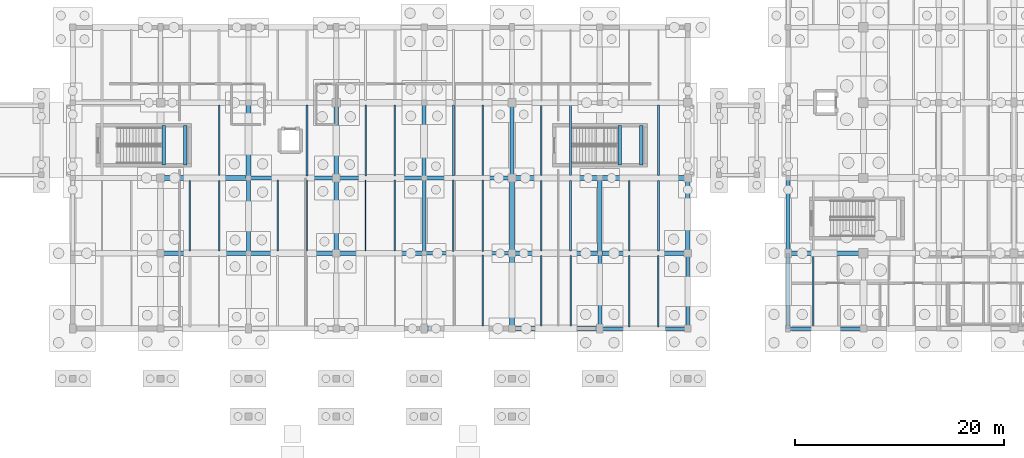
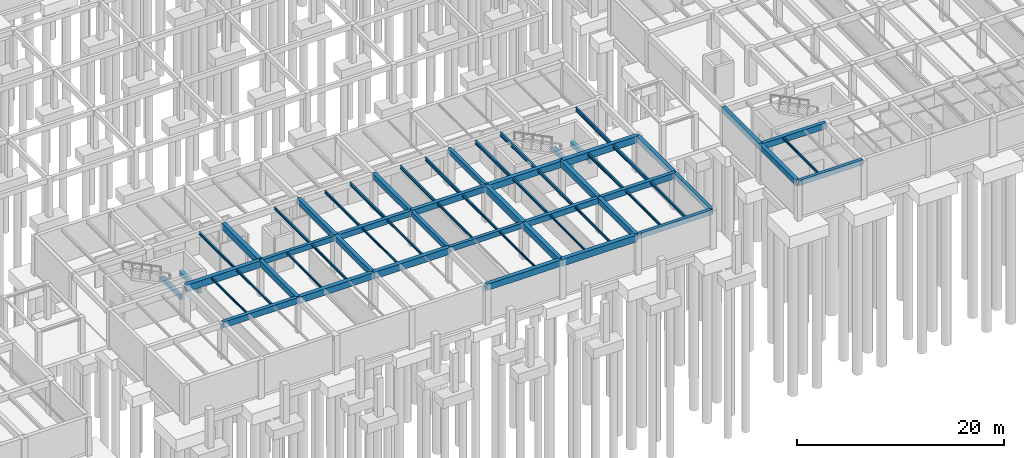
# One storey, part 26 of 63: 63 beams.
"""IFC4 building model written with IfcOpenShell, lengths in metres."""

from ifc_helpers import new_model, si_unit, direction, frame, origin, origin_2d, place, context, subcontext, project, spatial, rectangle, i_section, extrude, material, material_profile, profile_set, type_object, element, save


model = new_model("IFC4")

# Units and contexts
model_context = context("Model", 3, precision=1e-05, world=origin(), true_north=direction((0.0, 1.0)))
body_context = subcontext(model_context, "Body", "Model", "MODEL_VIEW")
ifc_project = project(units=[si_unit("LENGTHUNIT", "METRE"), si_unit("AREAUNIT", "SQUARE_METRE"), si_unit("VOLUMEUNIT", "CUBIC_METRE"), si_unit("PLANEANGLEUNIT", "RADIAN"), si_unit("MASSUNIT", "GRAM", prefix="KILO")], contexts=[model_context])

# Site, building, storey
site_placement = place(None, origin())
site = spatial("IfcSite", under=ifc_project, at=site_placement, CompositionType="ELEMENT")
building_placement = place(site_placement, origin())
building = spatial("IfcBuilding", under=site, at=building_placement, Name="Mazaris Harbour Polytechnic", CompositionType="ELEMENT")
storey_placement = place(building_placement, frame((0.0, 0.0, -4.5)))
storey = spatial("IfcBuildingStorey", under=building, at=storey_placement, Name="B1", CompositionType="ELEMENT", Elevation=-4.5)

# Beams
ifc_material_1 = material(Name="Concrete C35/45", Category="concrete")
ifc_material_profile_1 = material_profile(ifc_material_1, rectangle(XDim=0.35009765625, YDim=0.60009765625, at=origin_2d()), Name="RECT350x600")
ifc_profile_set_1 = profile_set([ifc_material_profile_1], Name="Concrete C35/45")
beam_type_1 = type_object("IfcBeamType", Name="RC Girder 350x600", PredefinedType="BEAM", material=ifc_profile_set_1)
for number, where, z_axis, x_axis, name in (
    (1, (87.60009765625, 14.39990234375, 3.8798828125), (1.0, 0.0, 0.0), (0.0, 1.0, 0.0), "V3 B1 Girder 750"),
    (2, (70.800048828125, 21.60009765625, 3.8798828125), (1.0, 0.0, 0.0), (0.0, 1.0, 0.0), "V3 B1 Girder 755"),
):
    element("IfcBeam", number, at=place(storey_placement, frame(where, z_axis=z_axis, x_axis=x_axis)), inside=storey, type_object=beam_type_1, Name=name, PredefinedType="BEAM", context=body_context, shape_type="SweptSolid", body=[
        extrude(rectangle(XDim=0.35009765625, YDim=0.60009765625, at=origin_2d()), origin(), (0.0, 0.0, 1.0), 8.39990234375),
    ])
beam_1_placement = place(storey_placement, frame((87.60009765625, 14.39990234375, 3.8798828125), z_axis=(0.0, 1.0, 0.0), x_axis=(-1.0, 0.0, 0.0)))
element("IfcBeam", 3, at=beam_1_placement, inside=storey, type_object=beam_type_1, Name="V3 B1 Tie Girder 790", PredefinedType="BEAM", context=body_context, shape_type="SweptSolid", body=[
    extrude(rectangle(XDim=0.35009765625, YDim=0.60009765625, at=origin_2d()), origin(), (0.0, 0.0, 1.0), 7.2001953125),
])
beam_2_placement = place(storey_placement, frame((96.0, 21.60009765625, 3.8798828125), z_axis=(0.0, 1.0, 0.0), x_axis=(-1.0, 0.0, 0.0)))
element("IfcBeam", 4, at=beam_2_placement, inside=storey, type_object=beam_type_1, Name="V3 B1 Tie Girder 795", PredefinedType="BEAM", context=body_context, shape_type="SweptSolid", body=[
    extrude(rectangle(XDim=0.35009765625, YDim=0.60009765625, at=origin_2d()), origin(), (0.0, 0.0, 1.0), 7.199951171875),
])
ifc_material_2 = material(Name="Concrete C35/45", Category="concrete")
ifc_material_profile_2 = material_profile(ifc_material_2, rectangle(XDim=0.35009765625, YDim=0.60009765625, at=origin_2d()), Name="RECT350x600")
ifc_profile_set_2 = profile_set([ifc_material_profile_2], Name="Concrete C35/45")
beam_type_2 = type_object("IfcBeamType", Name="RC Girder 350x600 Exterior", PredefinedType="BEAM", material=ifc_profile_set_2)
beam_3_placement = place(storey_placement, frame((122.39990234375, 7.199951171875, 3.8798828125), z_axis=(1.0, 0.0, 0.0), x_axis=(0.0, 1.0, 0.0)))
element("IfcBeam", 5, at=beam_3_placement, inside=storey, type_object=beam_type_2, Name="V2 B1 Girder 280", PredefinedType="BEAM", context=body_context, shape_type="SweptSolid", body=[
    extrude(rectangle(XDim=0.35009765625, YDim=0.60009765625, at=origin_2d()), origin(), (0.0, 0.0, 1.0), 7.2001953125),
])
beam_4_placement = place(storey_placement, frame((104.39990234375, 7.199951171875, 3.8798828125), z_axis=(1.0, 0.0, 0.0), x_axis=(0.0, 1.0, 0.0)))
element("IfcBeam", 6, at=beam_4_placement, inside=storey, type_object=beam_type_2, Name="V3 B1 Girder 745", PredefinedType="BEAM", context=body_context, shape_type="SweptSolid", body=[
    extrude(rectangle(XDim=0.35009765625, YDim=0.60009765625, at=origin_2d()), origin(), (0.0, 0.0, 1.0), 8.400146484375),
])
beam_5_placement = place(storey_placement, frame((112.800048828125, 7.199951171875, 3.8798828125), z_axis=(0.0, 1.0, 0.0), x_axis=(-1.0, 0.0, 0.0)))
element("IfcBeam", 7, at=beam_5_placement, inside=storey, type_object=beam_type_2, Name="V3 B1 Tie Girder 800", PredefinedType="BEAM", context=body_context, shape_type="SweptSolid", body=[
    extrude(rectangle(XDim=0.35009765625, YDim=0.60009765625, at=origin_2d()), origin(), (0.0, 0.0, 1.0), 7.199951171875),
])
ifc_material_3 = material(Name="Concrete C35/45", Category="concrete")
ifc_material_profile_3 = material_profile(ifc_material_3, rectangle(XDim=0.39990234375, YDim=0.64990234375, at=origin_2d()), Name="RECT400x650")
ifc_profile_set_3 = profile_set([ifc_material_profile_3], Name="Concrete C35/45")
beam_type_3 = type_object("IfcBeamType", Name="RC Girder 400x650", PredefinedType="BEAM", material=ifc_profile_set_3)
beam_6_placement = place(storey_placement, frame((96.0, 14.39990234375, 3.85498046875), z_axis=(1.0, 0.0, 0.0), x_axis=(0.0, 1.0, 0.0)))
element("IfcBeam", 8, at=beam_6_placement, inside=storey, type_object=beam_type_3, Name="V3 B1 Girder 751", PredefinedType="BEAM", context=body_context, shape_type="SweptSolid", body=[
    extrude(rectangle(XDim=0.39990234375, YDim=0.64990234375, at=origin_2d()), origin(), (0.0, 0.0, 1.0), 8.39990234375),
])
beam_7_placement = place(storey_placement, frame((79.199951171875, 21.60009765625, 3.85498046875), z_axis=(1.0, 0.0, 0.0), x_axis=(0.0, 1.0, 0.0)))
element("IfcBeam", 9, at=beam_7_placement, inside=storey, type_object=beam_type_3, Name="V3 B1 Girder 756", PredefinedType="BEAM", context=body_context, shape_type="SweptSolid", body=[
    extrude(rectangle(XDim=0.39990234375, YDim=0.64990234375, at=origin_2d()), origin(), (0.0, 0.0, 1.0), 8.400146484375),
])
beam_8_placement = place(storey_placement, frame((79.199951171875, 14.39990234375, 3.85498046875), z_axis=(0.0, 1.0, 0.0), x_axis=(-1.0, 0.0, 0.0)))
element("IfcBeam", 10, at=beam_8_placement, inside=storey, type_object=beam_type_3, Name="V3 B1 Tie Girder 786", PredefinedType="BEAM", context=body_context, shape_type="SweptSolid", body=[
    extrude(rectangle(XDim=0.39990234375, YDim=0.64990234375, at=origin_2d()), origin(), (0.0, 0.0, 1.0), 7.2001953125),
])
beam_9_placement = place(storey_placement, frame((87.60009765625, 21.60009765625, 3.85498046875), z_axis=(0.0, 1.0, 0.0), x_axis=(-1.0, 0.0, 0.0)))
element("IfcBeam", 11, at=beam_9_placement, inside=storey, type_object=beam_type_3, Name="V3 B1 Tie Girder 791", PredefinedType="BEAM", context=body_context, shape_type="SweptSolid", body=[
    extrude(rectangle(XDim=0.39990234375, YDim=0.64990234375, at=origin_2d()), origin(), (0.0, 0.0, 1.0), 7.199951171875),
])
ifc_material_4 = material(Name="Concrete C35/45", Category="concrete")
ifc_material_profile_4 = material_profile(ifc_material_4, rectangle(XDim=0.39990234375, YDim=0.64990234375, at=origin_2d()), Name="RECT400x650")
ifc_profile_set_4 = profile_set([ifc_material_profile_4], Name="Concrete C35/45")
beam_type_4 = type_object("IfcBeamType", Name="RC Girder 400x650 Exterior", PredefinedType="BEAM", material=ifc_profile_set_4)
beam_10_placement = place(storey_placement, frame((122.39990234375, 7.199951171875, 3.85498046875), z_axis=(0.0, 1.0, 0.0), x_axis=(-1.0, 0.0, 0.0)))
element("IfcBeam", 12, at=beam_10_placement, inside=storey, type_object=beam_type_4, Name="V2 B1 Tie Girder 321", PredefinedType="BEAM", context=body_context, shape_type="SweptSolid", body=[
    extrude(rectangle(XDim=0.39990234375, YDim=0.64990234375, at=origin_2d()), origin(), (0.0, 0.0, 1.0), 7.199951171875),
])
beam_11_placement = place(storey_placement, frame((112.800048828125, 14.39990234375, 3.85498046875), z_axis=(0.0, 1.0, 0.0), x_axis=(-1.0, 0.0, 0.0)))
element("IfcBeam", 13, at=beam_11_placement, inside=storey, type_object=beam_type_4, Name="V3 B1 Tie Girder 801", PredefinedType="BEAM", context=body_context, shape_type="SweptSolid", body=[
    extrude(rectangle(XDim=0.39990234375, YDim=0.64990234375, at=origin_2d()), origin(), (0.0, 0.0, 1.0), 7.2001953125),
])
ifc_material_5 = material(Name="Concrete C35/45", Category="concrete")
ifc_material_profile_5 = material_profile(ifc_material_5, rectangle(XDim=0.39990234375, YDim=0.699951171875, at=origin_2d()), Name="RECT400x700")
ifc_profile_set_5 = profile_set([ifc_material_profile_5], Name="Concrete C35/45")
beam_type_5 = type_object("IfcBeamType", Name="RC Girder 400x700", PredefinedType="BEAM", material=ifc_profile_set_5)
beam_12_placement = place(storey_placement, frame((122.39990234375, 14.39990234375, 3.830078125), z_axis=(1.0, 0.0, 0.0), x_axis=(0.0, 1.0, 0.0)))
element("IfcBeam", 14, at=beam_12_placement, inside=storey, type_object=beam_type_5, Name="V2 B1 Girder 287", PredefinedType="BEAM", context=body_context, shape_type="SweptSolid", body=[
    extrude(rectangle(XDim=0.39990234375, YDim=0.699951171875, at=origin_2d()), origin(), (0.0, 0.0, 1.0), 7.2001953125),
])
for number, where, z_axis, x_axis, name in (
    (15, (62.39990234375, 14.39990234375, 3.830078125), (1.0, 0.0, 0.0), (0.0, 1.0, 0.0), "V3 B1 Girder 747"),
    (16, (104.39990234375, 14.39990234375, 3.830078125), (1.0, 0.0, 0.0), (0.0, 1.0, 0.0), "V3 B1 Girder 752"),
):
    element("IfcBeam", number, at=place(storey_placement, frame(where, z_axis=z_axis, x_axis=x_axis)), inside=storey, type_object=beam_type_5, Name=name, PredefinedType="BEAM", context=body_context, shape_type="SweptSolid", body=[
        extrude(rectangle(XDim=0.39990234375, YDim=0.699951171875, at=origin_2d()), origin(), (0.0, 0.0, 1.0), 8.400146484375),
    ])
beam_13_placement = place(storey_placement, frame((87.60009765625, 21.60009765625, 3.830078125), z_axis=(1.0, 0.0, 0.0), x_axis=(0.0, 1.0, 0.0)))
element("IfcBeam", 17, at=beam_13_placement, inside=storey, type_object=beam_type_5, Name="V3 B1 Girder 757", PredefinedType="BEAM", context=body_context, shape_type="SweptSolid", body=[
    extrude(rectangle(XDim=0.39990234375, YDim=0.699951171875, at=origin_2d()), origin(), (0.0, 0.0, 1.0), 8.39990234375),
])
beam_14_placement = place(storey_placement, frame((70.800048828125, 14.39990234375, 3.830078125), z_axis=(0.0, 1.0, 0.0), x_axis=(-1.0, 0.0, 0.0)))
element("IfcBeam", 18, at=beam_14_placement, inside=storey, type_object=beam_type_5, Name="V3 B1 Tie Girder 782", PredefinedType="BEAM", context=body_context, shape_type="SweptSolid", body=[
    extrude(rectangle(XDim=0.39990234375, YDim=0.699951171875, at=origin_2d()), origin(), (0.0, 0.0, 1.0), 7.2001953125),
])
for number, where, z_axis, x_axis, name in (
    (19, (79.199951171875, 21.60009765625, 3.830078125), (0.0, 1.0, 0.0), (-1.0, 0.0, 0.0), "V3 B1 Tie Girder 787"),
    (20, (104.39990234375, 7.199951171875, 3.830078125), (0.0, 1.0, 0.0), (-1.0, 0.0, 0.0), "V3 B1 Tie Girder 797"),
):
    element("IfcBeam", number, at=place(storey_placement, frame(where, z_axis=z_axis, x_axis=x_axis)), inside=storey, type_object=beam_type_5, Name=name, PredefinedType="BEAM", context=body_context, shape_type="SweptSolid", body=[
        extrude(rectangle(XDim=0.39990234375, YDim=0.699951171875, at=origin_2d()), origin(), (0.0, 0.0, 1.0), 7.199951171875),
    ])
ifc_material_6 = material(Name="Concrete C35/45", Category="concrete")
ifc_material_profile_6 = material_profile(ifc_material_6, rectangle(XDim=0.39990234375, YDim=0.699951171875, at=origin_2d()), Name="RECT400x700")
ifc_profile_set_6 = profile_set([ifc_material_profile_6], Name="Concrete C35/45")
beam_type_6 = type_object("IfcBeamType", Name="RC Girder 400x700 Exterior", PredefinedType="BEAM", material=ifc_profile_set_6)
beam_15_placement = place(storey_placement, frame((122.39990234375, 14.39990234375, 3.830078125), z_axis=(0.0, 1.0, 0.0), x_axis=(-1.0, 0.0, 0.0)))
element("IfcBeam", 21, at=beam_15_placement, inside=storey, type_object=beam_type_6, Name="V2 B1 Tie Girder 322", PredefinedType="BEAM", context=body_context, shape_type="SweptSolid", body=[
    extrude(rectangle(XDim=0.39990234375, YDim=0.699951171875, at=origin_2d()), origin(), (0.0, 0.0, 1.0), 7.2001953125),
])
ifc_material_7 = material(Name="Concrete C40/50", Category="concrete")
ifc_material_profile_7 = material_profile(ifc_material_7, rectangle(XDim=0.449951171875, YDim=0.75, at=origin_2d()), Name="RECT450x750")
ifc_profile_set_7 = profile_set([ifc_material_profile_7], Name="Concrete C40/50")
beam_type_7 = type_object("IfcBeamType", Name="RC Girder 450x750", PredefinedType="BEAM", material=ifc_profile_set_7)
for number, where, z_axis, x_axis, name in (
    (22, (70.800048828125, 14.39990234375, 3.804931640625), (1.0, 0.0, 0.0), (0.0, 1.0, 0.0), "V3 B1 Girder 748"),
    (23, (96.0, 21.60009765625, 3.804931640625), (1.0, 0.0, 0.0), (0.0, 1.0, 0.0), "V3 B1 Girder 758"),
):
    element("IfcBeam", number, at=place(storey_placement, frame(where, z_axis=z_axis, x_axis=x_axis)), inside=storey, type_object=beam_type_7, Name=name, PredefinedType="BEAM", context=body_context, shape_type="SweptSolid", body=[
        extrude(rectangle(XDim=0.449951171875, YDim=0.75, at=origin_2d()), origin(), (0.0, 0.0, 1.0), 8.39990234375),
    ])
for number, where, z_axis, x_axis, name in (
    (24, (70.800048828125, 21.60009765625, 3.804931640625), (0.0, 1.0, 0.0), (-1.0, 0.0, 0.0), "V3 B1 Tie Girder 783"),
    (25, (96.0, 7.199951171875, 3.804931640625), (0.0, 1.0, 0.0), (-1.0, 0.0, 0.0), "V3 B1 Tie Girder 793"),
):
    element("IfcBeam", number, at=place(storey_placement, frame(where, z_axis=z_axis, x_axis=x_axis)), inside=storey, type_object=beam_type_7, Name=name, PredefinedType="BEAM", context=body_context, shape_type="SweptSolid", body=[
        extrude(rectangle(XDim=0.449951171875, YDim=0.75, at=origin_2d()), origin(), (0.0, 0.0, 1.0), 7.199951171875),
    ])
beam_16_placement = place(storey_placement, frame((104.39990234375, 14.39990234375, 3.804931640625), z_axis=(0.0, 1.0, 0.0), x_axis=(-1.0, 0.0, 0.0)))
element("IfcBeam", 26, at=beam_16_placement, inside=storey, type_object=beam_type_7, Name="V3 B1 Tie Girder 798", PredefinedType="BEAM", context=body_context, shape_type="SweptSolid", body=[
    extrude(rectangle(XDim=0.449951171875, YDim=0.75, at=origin_2d()), origin(), (0.0, 0.0, 1.0), 7.2001953125),
])
ifc_material_8 = material(Name="Concrete C40/50", Category="concrete")
ifc_material_profile_8 = material_profile(ifc_material_8, rectangle(XDim=0.449951171875, YDim=0.75, at=origin_2d()), Name="RECT450x750")
ifc_profile_set_8 = profile_set([ifc_material_profile_8], Name="Concrete C40/50")
beam_type_8 = type_object("IfcBeamType", Name="RC Girder 450x750 Exterior", PredefinedType="BEAM", material=ifc_profile_set_8)
beam_17_placement = place(storey_placement, frame((87.60009765625, 7.199951171875, 3.804931640625), z_axis=(1.0, 0.0, 0.0), x_axis=(0.0, 1.0, 0.0)))
element("IfcBeam", 27, at=beam_17_placement, inside=storey, type_object=beam_type_8, Name="V3 B1 Girder 743", PredefinedType="BEAM", context=body_context, shape_type="SweptSolid", body=[
    extrude(rectangle(XDim=0.449951171875, YDim=0.75, at=origin_2d()), origin(), (0.0, 0.0, 1.0), 8.39990234375),
])
ifc_material_9 = material(Name="Concrete C40/50", Category="concrete")
ifc_material_profile_9 = material_profile(ifc_material_9, rectangle(XDim=0.449951171875, YDim=0.800048828125, at=origin_2d()), Name="RECT450x800")
ifc_profile_set_9 = profile_set([ifc_material_profile_9], Name="Concrete C40/50")
beam_type_9 = type_object("IfcBeamType", Name="RC Girder 450x800", PredefinedType="BEAM", material=ifc_profile_set_9)
for number, where, z_axis, x_axis, name in (
    (28, (79.199951171875, 14.39990234375, 3.780029296875), (1.0, 0.0, 0.0), (0.0, 1.0, 0.0), "V3 B1 Girder 749"),
    (29, (62.39990234375, 21.60009765625, 3.780029296875), (1.0, 0.0, 0.0), (0.0, 1.0, 0.0), "V3 B1 Girder 754"),
    (30, (104.39990234375, 21.60009765625, 3.780029296875), (1.0, 0.0, 0.0), (0.0, 1.0, 0.0), "V3 B1 Girder 759"),
):
    element("IfcBeam", number, at=place(storey_placement, frame(where, z_axis=z_axis, x_axis=x_axis)), inside=storey, type_object=beam_type_9, Name=name, PredefinedType="BEAM", context=body_context, shape_type="SweptSolid", body=[
        extrude(rectangle(XDim=0.449951171875, YDim=0.800048828125, at=origin_2d()), origin(), (0.0, 0.0, 1.0), 8.400146484375),
    ])
beam_18_placement = place(storey_placement, frame((96.0, 14.39990234375, 3.780029296875), z_axis=(0.0, 1.0, 0.0), x_axis=(-1.0, 0.0, 0.0)))
element("IfcBeam", 31, at=beam_18_placement, inside=storey, type_object=beam_type_9, Name="V3 B1 Tie Girder 794", PredefinedType="BEAM", context=body_context, shape_type="SweptSolid", body=[
    extrude(rectangle(XDim=0.449951171875, YDim=0.800048828125, at=origin_2d()), origin(), (0.0, 0.0, 1.0), 7.2001953125),
])
ifc_material_10 = material(Name="Concrete C40/50", Category="concrete")
ifc_material_profile_10 = material_profile(ifc_material_10, rectangle(XDim=0.449951171875, YDim=0.800048828125, at=origin_2d()), Name="RECT450x800")
ifc_profile_set_10 = profile_set([ifc_material_profile_10], Name="Concrete C40/50")
beam_type_10 = type_object("IfcBeamType", Name="RC Girder 450x800 Exterior", PredefinedType="BEAM", material=ifc_profile_set_10)
beam_19_placement = place(storey_placement, frame((96.0, 7.199951171875, 3.780029296875), z_axis=(1.0, 0.0, 0.0), x_axis=(0.0, 1.0, 0.0)))
element("IfcBeam", 32, at=beam_19_placement, inside=storey, type_object=beam_type_10, Name="V3 B1 Girder 744", PredefinedType="BEAM", context=body_context, shape_type="SweptSolid", body=[
    extrude(rectangle(XDim=0.449951171875, YDim=0.800048828125, at=origin_2d()), origin(), (0.0, 0.0, 1.0), 8.39990234375),
])
ifc_material_11 = material(Name="Concrete C40/50", Category="concrete")
ifc_material_profile_11 = material_profile(ifc_material_11, rectangle(XDim=0.35009765625, YDim=0.52001953125, at=origin_2d()), Name="RECT350x520")
ifc_profile_set_11 = profile_set([ifc_material_profile_11], Name="Concrete C40/50")
beam_type_11 = type_object("IfcBeamType", Name="RC Landing Bearer 350x520", PredefinedType="BEAM", material=ifc_profile_set_11)
for number, where, z_axis, x_axis, name in (
    (33, (62.699951171875, 22.85009765625, 1.7900390625), (0.0, 1.0, 0.0), (-1.0, 0.0, 0.0), "Core ST05 B1 Landing Bearer"),
    (34, (64.75, 22.85009765625, 1.7900390625), (0.0, 1.0, 0.0), (-1.0, 0.0, 0.0), "Core ST05 B1 Landing Bearer"),
    (35, (106.300048828125, 22.85009765625, 1.7900390625), (0.0, 1.0, 0.0), (-1.0, 0.0, 0.0), "Core ST06 B1 Landing Bearer"),
    (36, (108.35009765625, 22.85009765625, 1.7900390625), (0.0, 1.0, 0.0), (-1.0, 0.0, 0.0), "Core ST06 B1 Landing Bearer"),
):
    element("IfcBeam", number, at=place(storey_placement, frame(where, z_axis=z_axis, x_axis=x_axis)), inside=storey, type_object=beam_type_11, Name=name, PredefinedType="BEAM", context=body_context, shape_type="SweptSolid", body=[
        extrude(rectangle(XDim=0.35009765625, YDim=0.52001953125, at=origin_2d()), origin(), (0.0, 0.0, 1.0), 3.75),
    ])
ifc_material_12 = material(Name="Steel S355", Category="steel")
ifc_material_profile_12 = material_profile(ifc_material_12, i_section(OverallWidth=0.1201171875, OverallDepth=0.239990234375, WebThickness=0.006103515625, FlangeThickness=0.009765625, FilletRadius=0.014892578125, at=origin_2d()), Name="IPE 240")
ifc_profile_set_12 = profile_set([ifc_material_profile_12], Name="Steel S355")
beam_type_12 = type_object("IfcBeamType", Name="Steel Joist IPE240", PredefinedType="JOIST", material=ifc_profile_set_12)
beam_20_placement = place(storey_placement, frame((65.199951171875, 14.60009765625, 4.06005859375), z_axis=(0.0, 1.0, 0.0), x_axis=(-1.0, 0.0, 0.0)))
element("IfcBeam", 37, at=beam_20_placement, inside=storey, type_object=beam_type_12, Name="V3 B1 Floor Joist 813", PredefinedType="JOIST", context=body_context, shape_type="SweptSolid", body=[
    extrude(i_section(OverallWidth=0.1201171875, OverallDepth=0.239990234375, WebThickness=0.006103515625, FlangeThickness=0.009765625, FilletRadius=0.014892578125, at=origin_2d()), origin(), (0.0, 0.0, 1.0), 6.77490234375),
])
beam_21_placement = place(storey_placement, frame((73.60009765625, 14.625, 4.06005859375), z_axis=(0.0, 1.0, 0.0), x_axis=(-1.0, 0.0, 0.0)))
element("IfcBeam", 38, at=beam_21_placement, inside=storey, type_object=beam_type_12, Name="V3 B1 Floor Joist 820", PredefinedType="JOIST", context=body_context, shape_type="SweptSolid", body=[
    extrude(i_section(OverallWidth=0.1201171875, OverallDepth=0.239990234375, WebThickness=0.006103515625, FlangeThickness=0.009765625, FilletRadius=0.014892578125, at=origin_2d()), origin(), (0.0, 0.0, 1.0), 6.800048828125),
])
beam_22_placement = place(storey_placement, frame((82.0, 14.625, 4.06005859375), z_axis=(0.0, 1.0, 0.0), x_axis=(-1.0, 0.0, 0.0)))
element("IfcBeam", 39, at=beam_22_placement, inside=storey, type_object=beam_type_12, Name="V3 B1 Floor Joist 827", PredefinedType="JOIST", context=body_context, shape_type="SweptSolid", body=[
    extrude(i_section(OverallWidth=0.1201171875, OverallDepth=0.239990234375, WebThickness=0.006103515625, FlangeThickness=0.009765625, FilletRadius=0.014892578125, at=origin_2d()), origin(), (0.0, 0.0, 1.0), 6.77490234375),
])
beam_23_placement = place(storey_placement, frame((93.199951171875, 7.425048828125, 4.06005859375), z_axis=(0.0, 1.0, 0.0), x_axis=(-1.0, 0.0, 0.0)))
element("IfcBeam", 40, at=beam_23_placement, inside=storey, type_object=beam_type_12, Name="V3 B1 Floor Joist 834", PredefinedType="JOIST", context=body_context, shape_type="SweptSolid", body=[
    extrude(i_section(OverallWidth=0.1201171875, OverallDepth=0.239990234375, WebThickness=0.006103515625, FlangeThickness=0.009765625, FilletRadius=0.014892578125, at=origin_2d()), origin(), (0.0, 0.0, 1.0), 6.800048828125),
])
beam_24_placement = place(storey_placement, frame((98.800048828125, 7.425048828125, 4.06005859375), z_axis=(0.0, 1.0, 0.0), x_axis=(-1.0, 0.0, 0.0)))
element("IfcBeam", 41, at=beam_24_placement, inside=storey, type_object=beam_type_12, Name="V3 B1 Floor Joist 841", PredefinedType="JOIST", context=body_context, shape_type="SweptSolid", body=[
    extrude(i_section(OverallWidth=0.1201171875, OverallDepth=0.239990234375, WebThickness=0.006103515625, FlangeThickness=0.009765625, FilletRadius=0.014892578125, at=origin_2d()), origin(), (0.0, 0.0, 1.0), 6.77490234375),
])
ifc_material_13 = material(Name="Steel S355", Category="steel")
ifc_material_profile_13 = material_profile(ifc_material_13, i_section(OverallWidth=0.135009765625, OverallDepth=0.27001953125, WebThickness=0.006591796875, FlangeThickness=0.01025390625, FilletRadius=0.014892578125, at=origin_2d()), Name="IPE 270")
ifc_profile_set_13 = profile_set([ifc_material_profile_13], Name="Steel S355")
beam_type_13 = type_object("IfcBeamType", Name="Steel Joist IPE270", PredefinedType="JOIST", material=ifc_profile_set_13)
beam_25_placement = place(storey_placement, frame((124.800048828125, 7.375, 4.044921875), z_axis=(0.0, 1.0, 0.0), x_axis=(-1.0, 0.0, 0.0)))
element("IfcBeam", 42, at=beam_25_placement, inside=storey, type_object=beam_type_13, Name="V2 B1 Floor Joist 359", PredefinedType="JOIST", context=body_context, shape_type="SweptSolid", body=[
    extrude(i_section(OverallWidth=0.135009765625, OverallDepth=0.27001953125, WebThickness=0.006591796875, FlangeThickness=0.01025390625, FilletRadius=0.014892578125, at=origin_2d()), origin(), (0.0, 0.0, 1.0), 6.824951171875),
])
beam_26_placement = place(storey_placement, frame((68.0, 14.60009765625, 4.044921875), z_axis=(0.0, 1.0, 0.0), x_axis=(-1.0, 0.0, 0.0)))
element("IfcBeam", 43, at=beam_26_placement, inside=storey, type_object=beam_type_13, Name="V3 B1 Floor Joist 814", PredefinedType="JOIST", context=body_context, shape_type="SweptSolid", body=[
    extrude(i_section(OverallWidth=0.135009765625, OverallDepth=0.27001953125, WebThickness=0.006591796875, FlangeThickness=0.01025390625, FilletRadius=0.014892578125, at=origin_2d()), origin(), (0.0, 0.0, 1.0), 6.77490234375),
])
beam_27_placement = place(storey_placement, frame((76.39990234375, 14.625, 4.044921875), z_axis=(0.0, 1.0, 0.0), x_axis=(-1.0, 0.0, 0.0)))
element("IfcBeam", 44, at=beam_27_placement, inside=storey, type_object=beam_type_13, Name="V3 B1 Floor Joist 821", PredefinedType="JOIST", context=body_context, shape_type="SweptSolid", body=[
    extrude(i_section(OverallWidth=0.135009765625, OverallDepth=0.27001953125, WebThickness=0.006591796875, FlangeThickness=0.01025390625, FilletRadius=0.014892578125, at=origin_2d()), origin(), (0.0, 0.0, 1.0), 6.800048828125),
])
beam_28_placement = place(storey_placement, frame((84.800048828125, 14.625, 4.044921875), z_axis=(0.0, 1.0, 0.0), x_axis=(-1.0, 0.0, 0.0)))
element("IfcBeam", 45, at=beam_28_placement, inside=storey, type_object=beam_type_13, Name="V3 B1 Floor Joist 828", PredefinedType="JOIST", context=body_context, shape_type="SweptSolid", body=[
    extrude(i_section(OverallWidth=0.135009765625, OverallDepth=0.27001953125, WebThickness=0.006591796875, FlangeThickness=0.01025390625, FilletRadius=0.014892578125, at=origin_2d()), origin(), (0.0, 0.0, 1.0), 6.77490234375),
])
beam_29_placement = place(storey_placement, frame((90.39990234375, 14.574951171875, 4.044921875), z_axis=(0.0, 1.0, 0.0), x_axis=(-1.0, 0.0, 0.0)))
element("IfcBeam", 46, at=beam_29_placement, inside=storey, type_object=beam_type_13, Name="V3 B1 Floor Joist 835", PredefinedType="JOIST", context=body_context, shape_type="SweptSolid", body=[
    extrude(i_section(OverallWidth=0.135009765625, OverallDepth=0.27001953125, WebThickness=0.006591796875, FlangeThickness=0.01025390625, FilletRadius=0.014892578125, at=origin_2d()), origin(), (0.0, 0.0, 1.0), 6.824951171875),
])
beam_30_placement = place(storey_placement, frame((101.60009765625, 7.425048828125, 4.044921875), z_axis=(0.0, 1.0, 0.0), x_axis=(-1.0, 0.0, 0.0)))
element("IfcBeam", 47, at=beam_30_placement, inside=storey, type_object=beam_type_13, Name="V3 B1 Floor Joist 842", PredefinedType="JOIST", context=body_context, shape_type="SweptSolid", body=[
    extrude(i_section(OverallWidth=0.135009765625, OverallDepth=0.27001953125, WebThickness=0.006591796875, FlangeThickness=0.01025390625, FilletRadius=0.014892578125, at=origin_2d()), origin(), (0.0, 0.0, 1.0), 6.77490234375),
])
beam_31_placement = place(storey_placement, frame((107.199951171875, 7.375, 4.044921875), z_axis=(0.0, 1.0, 0.0), x_axis=(-1.0, 0.0, 0.0)))
element("IfcBeam", 48, at=beam_31_placement, inside=storey, type_object=beam_type_13, Name="V3 B1 Floor Joist 849", PredefinedType="JOIST", context=body_context, shape_type="SweptSolid", body=[
    extrude(i_section(OverallWidth=0.135009765625, OverallDepth=0.27001953125, WebThickness=0.006591796875, FlangeThickness=0.01025390625, FilletRadius=0.014892578125, at=origin_2d()), origin(), (0.0, 0.0, 1.0), 6.824951171875),
])
ifc_material_14 = material(Name="Steel S355", Category="steel")
ifc_material_profile_14 = material_profile(ifc_material_14, i_section(OverallWidth=0.14990234375, OverallDepth=0.300048828125, WebThickness=0.007080078125, FlangeThickness=0.0107421875, FilletRadius=0.014892578125, at=origin_2d()), Name="IPE 300")
ifc_profile_set_14 = profile_set([ifc_material_profile_14], Name="Steel S355")
beam_type_14 = type_object("IfcBeamType", Name="Steel Joist IPE300", PredefinedType="JOIST", material=ifc_profile_set_14)
beam_32_placement = place(storey_placement, frame((68.0, 21.824951171875, 4.030029296875), z_axis=(0.0, 1.0, 0.0), x_axis=(-1.0, 0.0, 0.0)))
element("IfcBeam", 49, at=beam_32_placement, inside=storey, type_object=beam_type_14, Name="V3 B1 Floor Joist 815", PredefinedType="JOIST", context=body_context, shape_type="SweptSolid", body=[
    extrude(i_section(OverallWidth=0.14990234375, OverallDepth=0.300048828125, WebThickness=0.007080078125, FlangeThickness=0.0107421875, FilletRadius=0.014892578125, at=origin_2d()), origin(), (0.0, 0.0, 1.0), 6.775146484375),
])
beam_33_placement = place(storey_placement, frame((76.39990234375, 21.77490234375, 4.030029296875), z_axis=(0.0, 1.0, 0.0), x_axis=(-1.0, 0.0, 0.0)))
element("IfcBeam", 50, at=beam_33_placement, inside=storey, type_object=beam_type_14, Name="V3 B1 Floor Joist 822", PredefinedType="JOIST", context=body_context, shape_type="SweptSolid", body=[
    extrude(i_section(OverallWidth=0.14990234375, OverallDepth=0.300048828125, WebThickness=0.007080078125, FlangeThickness=0.0107421875, FilletRadius=0.014892578125, at=origin_2d()), origin(), (0.0, 0.0, 1.0), 6.8251953125),
])
beam_34_placement = place(storey_placement, frame((82.0, 21.800048828125, 4.030029296875), z_axis=(0.0, 1.0, 0.0), x_axis=(-1.0, 0.0, 0.0)))
element("IfcBeam", 51, at=beam_34_placement, inside=storey, type_object=beam_type_14, Name="V3 B1 Floor Joist 829", PredefinedType="JOIST", context=body_context, shape_type="SweptSolid", body=[
    extrude(i_section(OverallWidth=0.14990234375, OverallDepth=0.300048828125, WebThickness=0.007080078125, FlangeThickness=0.0107421875, FilletRadius=0.014892578125, at=origin_2d()), origin(), (0.0, 0.0, 1.0), 6.77490234375),
])
beam_35_placement = place(storey_placement, frame((93.199951171875, 14.574951171875, 4.030029296875), z_axis=(0.0, 1.0, 0.0), x_axis=(-1.0, 0.0, 0.0)))
element("IfcBeam", 52, at=beam_35_placement, inside=storey, type_object=beam_type_14, Name="V3 B1 Floor Joist 836", PredefinedType="JOIST", context=body_context, shape_type="SweptSolid", body=[
    extrude(i_section(OverallWidth=0.14990234375, OverallDepth=0.300048828125, WebThickness=0.007080078125, FlangeThickness=0.0107421875, FilletRadius=0.014892578125, at=origin_2d()), origin(), (0.0, 0.0, 1.0), 6.824951171875),
])
beam_36_placement = place(storey_placement, frame((98.800048828125, 14.60009765625, 4.030029296875), z_axis=(0.0, 1.0, 0.0), x_axis=(-1.0, 0.0, 0.0)))
element("IfcBeam", 53, at=beam_36_placement, inside=storey, type_object=beam_type_14, Name="V3 B1 Floor Joist 843", PredefinedType="JOIST", context=body_context, shape_type="SweptSolid", body=[
    extrude(i_section(OverallWidth=0.14990234375, OverallDepth=0.300048828125, WebThickness=0.007080078125, FlangeThickness=0.0107421875, FilletRadius=0.014892578125, at=origin_2d()), origin(), (0.0, 0.0, 1.0), 6.77490234375),
])
beam_37_placement = place(storey_placement, frame((110.0, 7.375, 4.030029296875), z_axis=(0.0, 1.0, 0.0), x_axis=(-1.0, 0.0, 0.0)))
element("IfcBeam", 54, at=beam_37_placement, inside=storey, type_object=beam_type_14, Name="V3 B1 Floor Joist 850", PredefinedType="JOIST", context=body_context, shape_type="SweptSolid", body=[
    extrude(i_section(OverallWidth=0.14990234375, OverallDepth=0.300048828125, WebThickness=0.007080078125, FlangeThickness=0.0107421875, FilletRadius=0.014892578125, at=origin_2d()), origin(), (0.0, 0.0, 1.0), 6.824951171875),
])
ifc_material_15 = material(Name="Steel S355", Category="steel")
ifc_material_profile_15 = material_profile(ifc_material_15, i_section(OverallWidth=0.169921875, OverallDepth=0.360107421875, WebThickness=0.008056640625, FlangeThickness=0.0126953125, FilletRadius=0.01806640625, at=origin_2d()), Name="IPE 360")
ifc_profile_set_15 = profile_set([ifc_material_profile_15], Name="Steel S355")
beam_type_15 = type_object("IfcBeamType", Name="Steel Joist IPE360", PredefinedType="JOIST", material=ifc_profile_set_15)
for number, where, z_axis, x_axis, name in (
    (55, (84.800048828125, 21.800048828125, 4.0), (0.0, 1.0, 0.0), (-1.0, 0.0, 0.0), "V3 B1 Floor Joist 830"),
    (56, (90.39990234375, 21.800048828125, 4.0), (0.0, 1.0, 0.0), (-1.0, 0.0, 0.0), "V3 B1 Floor Joist 837"),
    (57, (101.60009765625, 14.60009765625, 4.0), (0.0, 1.0, 0.0), (-1.0, 0.0, 0.0), "V3 B1 Floor Joist 844"),
    (58, (107.199951171875, 14.60009765625, 4.0), (0.0, 1.0, 0.0), (-1.0, 0.0, 0.0), "V3 B1 Floor Joist 851"),
):
    element("IfcBeam", number, at=place(storey_placement, frame(where, z_axis=z_axis, x_axis=x_axis)), inside=storey, type_object=beam_type_15, Name=name, PredefinedType="JOIST", context=body_context, shape_type="SweptSolid", body=[
        extrude(i_section(OverallWidth=0.169921875, OverallDepth=0.360107421875, WebThickness=0.008056640625, FlangeThickness=0.0126953125, FilletRadius=0.01806640625, at=origin_2d()), origin(), (0.0, 0.0, 1.0), 6.77490234375),
    ])
ifc_material_16 = material(Name="Steel S355", Category="steel")
ifc_material_profile_16 = material_profile(ifc_material_16, i_section(OverallWidth=0.179931640625, OverallDepth=0.39990234375, WebThickness=0.008544921875, FlangeThickness=0.013427734375, FilletRadius=0.02099609375, at=origin_2d()), Name="IPE 400")
ifc_profile_set_16 = profile_set([ifc_material_profile_16], Name="Steel S355")
beam_type_16 = type_object("IfcBeamType", Name="Steel Joist IPE400", PredefinedType="JOIST", material=ifc_profile_set_16)
beam_38_placement = place(storey_placement, frame((93.199951171875, 21.800048828125, 3.97998046875), z_axis=(0.0, 1.0, 0.0), x_axis=(-1.0, 0.0, 0.0)))
element("IfcBeam", 59, at=beam_38_placement, inside=storey, type_object=beam_type_16, Name="V3 B1 Floor Joist 838", PredefinedType="JOIST", context=body_context, shape_type="SweptSolid", body=[
    extrude(i_section(OverallWidth=0.179931640625, OverallDepth=0.39990234375, WebThickness=0.008544921875, FlangeThickness=0.013427734375, FilletRadius=0.02099609375, at=origin_2d()), origin(), (0.0, 0.0, 1.0), 6.77490234375),
])
beam_39_placement = place(storey_placement, frame((98.800048828125, 21.824951171875, 3.97998046875), z_axis=(0.0, 1.0, 0.0), x_axis=(-1.0, 0.0, 0.0)))
element("IfcBeam", 60, at=beam_39_placement, inside=storey, type_object=beam_type_16, Name="V3 B1 Floor Joist 845", PredefinedType="JOIST", context=body_context, shape_type="SweptSolid", body=[
    extrude(i_section(OverallWidth=0.179931640625, OverallDepth=0.39990234375, WebThickness=0.008544921875, FlangeThickness=0.013427734375, FilletRadius=0.02099609375, at=origin_2d()), origin(), (0.0, 0.0, 1.0), 6.800048828125),
])
beam_40_placement = place(storey_placement, frame((110.0, 14.60009765625, 3.97998046875), z_axis=(0.0, 1.0, 0.0), x_axis=(-1.0, 0.0, 0.0)))
element("IfcBeam", 61, at=beam_40_placement, inside=storey, type_object=beam_type_16, Name="V3 B1 Floor Joist 852", PredefinedType="JOIST", context=body_context, shape_type="SweptSolid", body=[
    extrude(i_section(OverallWidth=0.179931640625, OverallDepth=0.39990234375, WebThickness=0.008544921875, FlangeThickness=0.013427734375, FilletRadius=0.02099609375, at=origin_2d()), origin(), (0.0, 0.0, 1.0), 6.77490234375),
])
ifc_material_17 = material(Name="Steel S355", Category="steel")
ifc_material_profile_17 = material_profile(ifc_material_17, i_section(OverallWidth=0.18994140625, OverallDepth=0.449951171875, WebThickness=0.009521484375, FlangeThickness=0.0146484375, FilletRadius=0.02099609375, at=origin_2d()), Name="IPE 450")
ifc_profile_set_17 = profile_set([ifc_material_profile_17], Name="Steel S355")
beam_type_17 = type_object("IfcBeamType", Name="Steel Joist IPE450", PredefinedType="JOIST", material=ifc_profile_set_17)
beam_41_placement = place(storey_placement, frame((101.60009765625, 21.824951171875, 3.955078125), z_axis=(0.0, 1.0, 0.0), x_axis=(-1.0, 0.0, 0.0)))
element("IfcBeam", 62, at=beam_41_placement, inside=storey, type_object=beam_type_17, Name="V3 B1 Floor Joist 846", PredefinedType="JOIST", context=body_context, shape_type="SweptSolid", body=[
    extrude(i_section(OverallWidth=0.18994140625, OverallDepth=0.449951171875, WebThickness=0.009521484375, FlangeThickness=0.0146484375, FilletRadius=0.02099609375, at=origin_2d()), origin(), (0.0, 0.0, 1.0), 6.800048828125),
])
beam_42_placement = place(storey_placement, frame((110.0, 21.824951171875, 3.955078125), z_axis=(0.0, 1.0, 0.0), x_axis=(-1.0, 0.0, 0.0)))
element("IfcBeam", 63, at=beam_42_placement, inside=storey, type_object=beam_type_17, Name="V3 B1 Floor Joist 853", PredefinedType="JOIST", context=body_context, shape_type="SweptSolid", body=[
    extrude(i_section(OverallWidth=0.18994140625, OverallDepth=0.449951171875, WebThickness=0.009521484375, FlangeThickness=0.0146484375, FilletRadius=0.02099609375, at=origin_2d()), origin(), (0.0, 0.0, 1.0), 6.775146484375),
])

save(model, "model.ifc")
